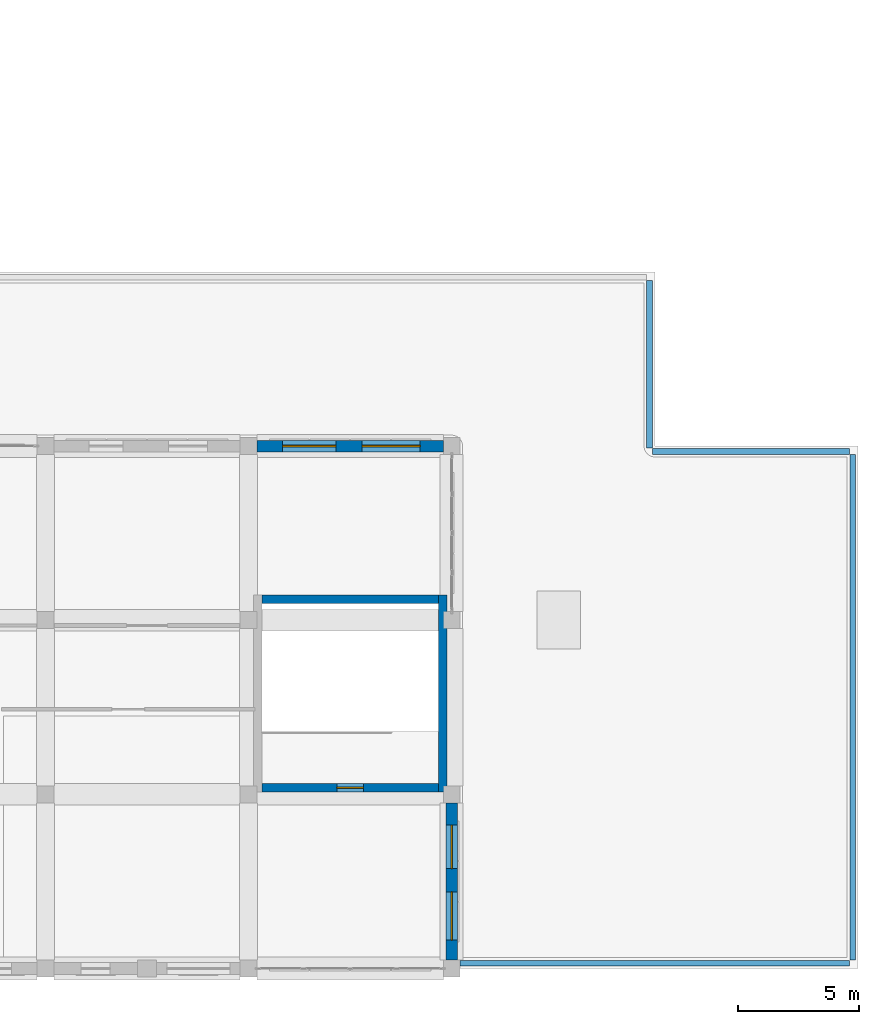
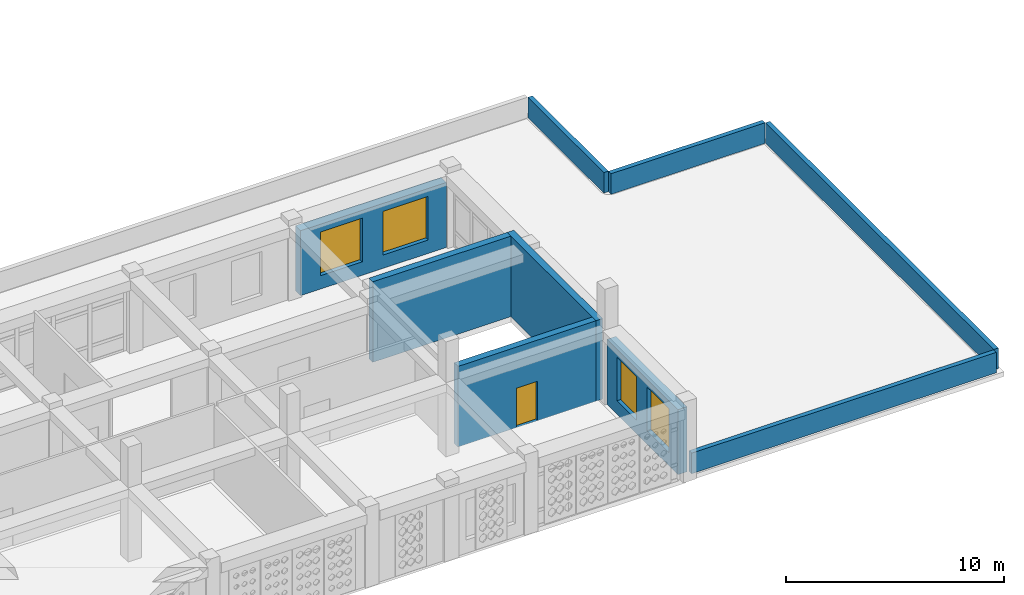
# One storey, part 66 of 100: 9 walls, 4 windows, 1 door, 5 openings.
"""IFC4 building model written with IfcOpenShell, lengths in metres."""

from ifc_helpers import new_model, si_unit, derived_unit, direction, frame, frame_2d, origin, place, context, subcontext, project, spatial, rectangle, extrude, material, layer, layer_set, type_object, element, fill, save


model = new_model("IFC4")

# Units and contexts
model_context = context("Model", 3, precision=1e-05, world=origin(), true_north=direction((0.0, 1.0)))
body_context = subcontext(model_context, "Body", "Model", "MODEL_VIEW")
ifc_project = project(units=[si_unit("LENGTHUNIT", "METRE"), si_unit("AREAUNIT", "SQUARE_METRE"), si_unit("VOLUMEUNIT", "CUBIC_METRE"), si_unit("PLANEANGLEUNIT", "RADIAN"), si_unit("MASSUNIT", "GRAM", prefix="KILO"), derived_unit("THERMALTRANSMITTANCEUNIT", [(si_unit("POWERUNIT", "WATT"), 1), (si_unit("LENGTHUNIT", "METRE"), -2), (si_unit("THERMODYNAMICTEMPERATUREUNIT", "KELVIN"), -1)])], contexts=[model_context])

# Site, building, storey
site_placement = place(None, origin())
site = spatial("IfcSite", under=ifc_project, at=site_placement, CompositionType="ELEMENT")
building_placement = place(site_placement, origin())
building = spatial("IfcBuilding", under=site, at=building_placement, Name="Veybourne Emporium", CompositionType="ELEMENT")
storey_placement = place(building_placement, frame((0.0, 0.0, 14.39990234375)))
storey = spatial("IfcBuildingStorey", under=building, at=storey_placement, Name="L03", CompositionType="ELEMENT", Elevation=14.39990234375)

# Wall, openings, windows
ifc_material_1 = material(Name="Portland Limestone Ashlar", Category="masonry")
ifc_layer_1 = layer(ifc_material_1, 0.47998046875)
ifc_layer_set_1 = layer_set([ifc_layer_1], Name="Portland Limestone Ashlar")
wall_type_1 = type_object("IfcWallType", Name="ExtWall_EW-01", PredefinedType="SOLIDWALL", material=ifc_layer_set_1)
wall_1_placement = place(storey_placement, frame((134.39990234375, 6.85009765625, 0.0), z_axis=(0.0, 0.0, 1.0), x_axis=(0.0, -1.0, 0.0)))
wall_1 = element("IfcWall", 1, at=wall_1_placement, inside=storey, type_object=wall_type_1, Name="L03 Portland stone external wall 067", PredefinedType="SOLIDWALL", context=body_context, shape_type="SweptSolid", body=[
    extrude(rectangle(XDim=6.5, YDim=0.47998046875, at=frame_2d((3.25, 0.0))), origin(), (0.0, 0.0, 1.0), 3.630126953125),
])
opening_1_placement = place(wall_1_placement, frame((0.919921875, 0.0, 0.75)))
opening_1 = element("IfcOpeningElement", 2, at=opening_1_placement, cuts=wall_1, Name="Opening W-28", PredefinedType="OPENING", context=body_context, shape_type="SweptSolid", body=[
    extrude(rectangle(XDim=1.800048828125, YDim=2.43994140625, at=frame_2d((0.89990234375, 1.219970703125))), frame((0.0, 0.260009765625, 0.0), z_axis=(0.0, -1.0, 0.0), x_axis=(1.0, 0.0, 0.0)), (0.0, 0.0, 1.0), 0.52001953125),
])
opening_2_placement = place(wall_1_placement, frame((3.679931640625, 0.0, 0.75)))
opening_2 = element("IfcOpeningElement", 3, at=opening_2_placement, cuts=wall_1, Name="Opening W-29", PredefinedType="OPENING", context=body_context, shape_type="SweptSolid", body=[
    extrude(rectangle(XDim=2.0, YDim=2.43994140625, at=frame_2d((1.0, 1.219970703125))), frame((0.0, 0.260009765625, 0.0), z_axis=(0.0, -1.0, 0.0), x_axis=(1.0, 0.0, 0.0)), (0.0, 0.0, 1.0), 0.52001953125),
])
ifc_material_2 = material(Name="Low-E Triple Glazing", Category="glass")
window_type_1 = type_object("IfcWindowType", Name="Win_W-28", PartitioningType="DOUBLE_PANEL_VERTICAL", PredefinedType="WINDOW", material=ifc_material_2)
window_1_placement = place(opening_1_placement, origin())
window_1 = element("IfcWindow", 4, at=window_1_placement, inside=storey, type_object=window_type_1, Name="L03 tripartite bronze casement window W-28 (67.1)", OverallHeight=2.43994140625, OverallWidth=1.800048828125, PartitioningType="DOUBLE_PANEL_VERTICAL", PredefinedType="WINDOW", context=body_context, shape_type="SweptSolid", body=[
    extrude(rectangle(XDim=1.800048828125, YDim=2.43994140625, at=frame_2d((0.89990234375, 1.219970703125))), frame((0.0, 0.030029296875, 0.0), z_axis=(0.0, -1.0, 0.0), x_axis=(1.0, 0.0, 0.0)), (0.0, 0.0, 1.0), 0.06005859375),
])
fill(opening_1, window_1)
window_type_2 = type_object("IfcWindowType", Name="Win_W-29", PartitioningType="TRIPLE_PANEL_VERTICAL", PredefinedType="WINDOW", material=ifc_material_2)
window_2_placement = place(opening_2_placement, origin())
window_2 = element("IfcWindow", 5, at=window_2_placement, inside=storey, type_object=window_type_2, Name="L03 tripartite bronze casement window W-29 (67.2)", OverallHeight=2.43994140625, OverallWidth=2.0, PartitioningType="TRIPLE_PANEL_VERTICAL", PredefinedType="WINDOW", context=body_context, shape_type="SweptSolid", body=[
    extrude(rectangle(XDim=2.0, YDim=2.43994140625, at=frame_2d((1.0, 1.219970703125))), frame((0.0, 0.030029296875, 0.0), z_axis=(0.0, -1.0, 0.0), x_axis=(1.0, 0.0, 0.0)), (0.0, 0.0, 1.0), 0.06005859375),
])
fill(opening_2, window_2)

wall_2_placement = place(storey_placement, frame((126.35009765625, 21.60009765625, 0.0), z_axis=(0.0, 0.0, 1.0), x_axis=(1.0, 0.0, 0.0)))
wall_2 = element("IfcWall", 6, at=wall_2_placement, inside=storey, type_object=wall_type_1, Name="L03 Portland stone external wall 070", PredefinedType="SOLIDWALL", context=body_context, shape_type="SweptSolid", body=[
    extrude(rectangle(XDim=7.699951171875, YDim=0.47998046875, at=frame_2d((3.85009765625, 0.0))), origin(), (0.0, 0.0, 1.0), 3.630126953125),
])
opening_3_placement = place(wall_2_placement, frame((1.055908203125, 0.0, 0.75)))
opening_3 = element("IfcOpeningElement", 7, at=opening_3_placement, cuts=wall_2, Name="Opening W-30", PredefinedType="OPENING", context=body_context, shape_type="SweptSolid", body=[
    extrude(rectangle(XDim=2.199951171875, YDim=2.43994140625, at=frame_2d((1.10009765625, 1.219970703125))), frame((0.0, 0.260009765625, 0.0), z_axis=(0.0, -1.0, 0.0), x_axis=(1.0, 0.0, 0.0)), (0.0, 0.0, 1.0), 0.52001953125),
])
opening_4_placement = place(wall_2_placement, frame((4.343994140625, 0.0, 0.75)))
opening_4 = element("IfcOpeningElement", 8, at=opening_4_placement, cuts=wall_2, Name="Opening W-31", PredefinedType="OPENING", context=body_context, shape_type="SweptSolid", body=[
    extrude(rectangle(XDim=2.39990234375, YDim=2.43994140625, at=frame_2d((1.199951171875, 1.219970703125))), frame((0.0, 0.260009765625, 0.0), z_axis=(0.0, -1.0, 0.0), x_axis=(1.0, 0.0, 0.0)), (0.0, 0.0, 1.0), 0.52001953125),
])
window_type_3 = type_object("IfcWindowType", Name="Win_W-30", PartitioningType="TRIPLE_PANEL_VERTICAL", PredefinedType="WINDOW", material=ifc_material_2)
window_3_placement = place(opening_3_placement, origin())
window_3 = element("IfcWindow", 9, at=window_3_placement, inside=storey, type_object=window_type_3, Name="L03 tripartite bronze casement window W-30 (70.1)", OverallHeight=2.43994140625, OverallWidth=2.199951171875, PartitioningType="TRIPLE_PANEL_VERTICAL", PredefinedType="WINDOW", context=body_context, shape_type="SweptSolid", body=[
    extrude(rectangle(XDim=2.199951171875, YDim=2.43994140625, at=frame_2d((1.10009765625, 1.219970703125))), frame((0.0, 0.030029296875, 0.0), z_axis=(0.0, -1.0, 0.0), x_axis=(1.0, 0.0, 0.0)), (0.0, 0.0, 1.0), 0.06005859375),
])
fill(opening_3, window_3)
window_type_4 = type_object("IfcWindowType", Name="Win_W-31", PartitioningType="TRIPLE_PANEL_VERTICAL", PredefinedType="WINDOW", material=ifc_material_2)
window_4_placement = place(opening_4_placement, origin())
window_4 = element("IfcWindow", 10, at=window_4_placement, inside=storey, type_object=window_type_4, Name="L03 tripartite bronze casement window W-31 (70.2)", OverallHeight=2.43994140625, OverallWidth=2.39990234375, PartitioningType="TRIPLE_PANEL_VERTICAL", PredefinedType="WINDOW", context=body_context, shape_type="SweptSolid", body=[
    extrude(rectangle(XDim=2.39990234375, YDim=2.43994140625, at=frame_2d((1.199951171875, 1.219970703125))), frame((0.0, 0.030029296875, 0.0), z_axis=(0.0, -1.0, 0.0), x_axis=(1.0, 0.0, 0.0)), (0.0, 0.0, 1.0), 0.06005859375),
])
fill(opening_4, window_4)

# Walls
ifc_material_3 = material(Name="Precast concrete C40/50", Category="concrete")
ifc_layer_2 = layer(ifc_material_3, 0.239990234375)
ifc_layer_set_2 = layer_set([ifc_layer_2], Name="Precast concrete C40/50")
wall_type_2 = type_object("IfcWallType", Name="ExtWall_PW-02", PredefinedType="PARAPET", material=ifc_layer_set_2)
wall_3_placement = place(storey_placement, frame((142.580078125, 28.449951171875, 0.0), z_axis=(0.0, 0.0, 1.0), x_axis=(0.0, -1.0, 0.0)))
element("IfcWall", 11, at=wall_3_placement, inside=storey, type_object=wall_type_2, Name="L03 roof parapet wall 008", PredefinedType="PARAPET", context=body_context, shape_type="SweptSolid", body=[
    extrude(rectangle(XDim=6.93994140625, YDim=0.239990234375, at=frame_2d((3.469970703125, 0.0))), origin(), (0.0, 0.0, 1.0), 1.150146484375),
])
wall_4_placement = place(storey_placement, frame((142.7099609375, 21.3798828125, 0.0), z_axis=(0.0, 0.0, 1.0), x_axis=(1.0, 0.0, 0.0)))
element("IfcWall", 12, at=wall_4_placement, inside=storey, type_object=wall_type_2, Name="L03 roof parapet wall 009", PredefinedType="PARAPET", context=body_context, shape_type="SweptSolid", body=[
    extrude(rectangle(XDim=8.14013671875, YDim=0.239990234375, at=frame_2d((4.070068359375, 0.0))), origin(), (0.0, 0.0, 1.0), 1.150146484375),
])
wall_5_placement = place(storey_placement, frame((150.97998046875, 21.25, 0.0), z_axis=(0.0, 0.0, 1.0), x_axis=(0.0, -1.0, 0.0)))
element("IfcWall", 13, at=wall_5_placement, inside=storey, type_object=wall_type_2, Name="L03 roof parapet wall 010", PredefinedType="PARAPET", context=body_context, shape_type="SweptSolid", body=[
    extrude(rectangle(XDim=20.89990234375, YDim=0.239990234375, at=frame_2d((10.449951171875, 0.0))), origin(), (0.0, 0.0, 1.0), 1.150146484375),
])
wall_6_placement = place(storey_placement, frame((150.85009765625, 0.219970703125, 0.0), z_axis=(0.0, 0.0, 1.0), x_axis=(-1.0, 0.0, 0.0)))
element("IfcWall", 14, at=wall_6_placement, inside=storey, type_object=wall_type_2, Name="L03 roof parapet wall 011", PredefinedType="PARAPET", context=body_context, shape_type="SweptSolid", body=[
    extrude(rectangle(XDim=16.10009765625, YDim=0.239990234375, at=frame_2d((8.050048828125, 0.0))), origin(), (0.0, 0.0, 1.0), 1.150146484375),
])

# Wall, opening, door
ifc_material_4 = material(Name="Concrete C40/50", Category="concrete")
ifc_layer_3 = layer(ifc_material_4, 0.35009765625)
ifc_layer_set_3 = layer_set([ifc_layer_3], Name="Concrete C40/50")
wall_type_3 = type_object("IfcWallType", Name="IntWall_CW-02", PredefinedType="SHEAR", material=ifc_layer_set_3)
wall_7_placement = place(storey_placement, frame((133.85009765625, 7.47509765625, 0.0), z_axis=(0.0, 0.0, 1.0), x_axis=(-1.0, 0.0, 0.0)))
wall_7 = element("IfcWall", 15, at=wall_7_placement, inside=storey, type_object=wall_type_3, Name="Core stair ST-06 south shear wall (L03)", PredefinedType="SHEAR", context=body_context, shape_type="SweptSolid", body=[
    extrude(rectangle(XDim=7.300048828125, YDim=0.35009765625, at=frame_2d((3.64990234375, 0.0))), origin(), (0.0, 0.0, 1.0), 4.5),
])
opening_5_placement = place(wall_7_placement, frame((3.10009765625, 0.0, 0.0)))
opening_5 = element("IfcOpeningElement", 16, at=opening_5_placement, cuts=wall_7, Name="Opening FD-01", PredefinedType="OPENING", context=body_context, shape_type="SweptSolid", body=[
    extrude(rectangle(XDim=1.10009765625, YDim=2.199951171875, at=frame_2d((0.550048828125, 1.10009765625))), frame((0.0, 0.195068359375, 0.0), z_axis=(0.0, -1.0, 0.0), x_axis=(1.0, 0.0, 0.0)), (0.0, 0.0, 1.0), 0.39013671875),
])
ifc_material_5 = material(Name="Patinated Architectural Bronze", Category="bronze")
door_type = type_object("IfcDoorType", Name="FireDoor_FD-01", OperationType="NOTDEFINED", PredefinedType="DOOR", material=ifc_material_5)
door_placement = place(opening_5_placement, origin())
door = element("IfcDoor", 17, at=door_placement, inside=storey, type_object=door_type, Name="Stair ST-06 fire door (L03)", OperationType="SINGLE_SWING_RIGHT", OverallHeight=2.199951171875, OverallWidth=1.10009765625, PredefinedType="DOOR", context=body_context, shape_type="SweptSolid", body=[
    extrude(rectangle(XDim=1.10009765625, YDim=2.199951171875, at=frame_2d((0.550048828125, 1.10009765625))), frame((0.0, 0.02490234375, 0.0), z_axis=(0.0, -1.0, 0.0), x_axis=(1.0, 0.0, 0.0)), (0.0, 0.0, 1.0), 0.050048828125),
])
fill(opening_5, door)

# Walls
wall_8_placement = place(storey_placement, frame((126.550048828125, 15.27490234375, 0.0), z_axis=(0.0, 0.0, 1.0), x_axis=(1.0, 0.0, 0.0)))
element("IfcWall", 18, at=wall_8_placement, inside=storey, type_object=wall_type_3, Name="Core stair ST-06 north shear wall (L03)", PredefinedType="SHEAR", context=body_context, shape_type="SweptSolid", body=[
    extrude(rectangle(XDim=7.300048828125, YDim=0.35009765625, at=frame_2d((3.64990234375, 0.0))), origin(), (0.0, 0.0, 1.0), 4.5),
])
wall_9_placement = place(storey_placement, frame((134.02490234375, 7.300048828125, 0.0), z_axis=(0.0, 0.0, 1.0), x_axis=(0.0, 1.0, 0.0)))
element("IfcWall", 19, at=wall_9_placement, inside=storey, type_object=wall_type_3, Name="Core stair ST-06 east shear wall (L03)", PredefinedType="SHEAR", context=body_context, shape_type="SweptSolid", body=[
    extrude(rectangle(XDim=8.14990234375, YDim=0.35009765625, at=frame_2d((4.074951171875, 0.0))), origin(), (0.0, 0.0, 1.0), 4.5),
])

save(model, "model.ifc")
